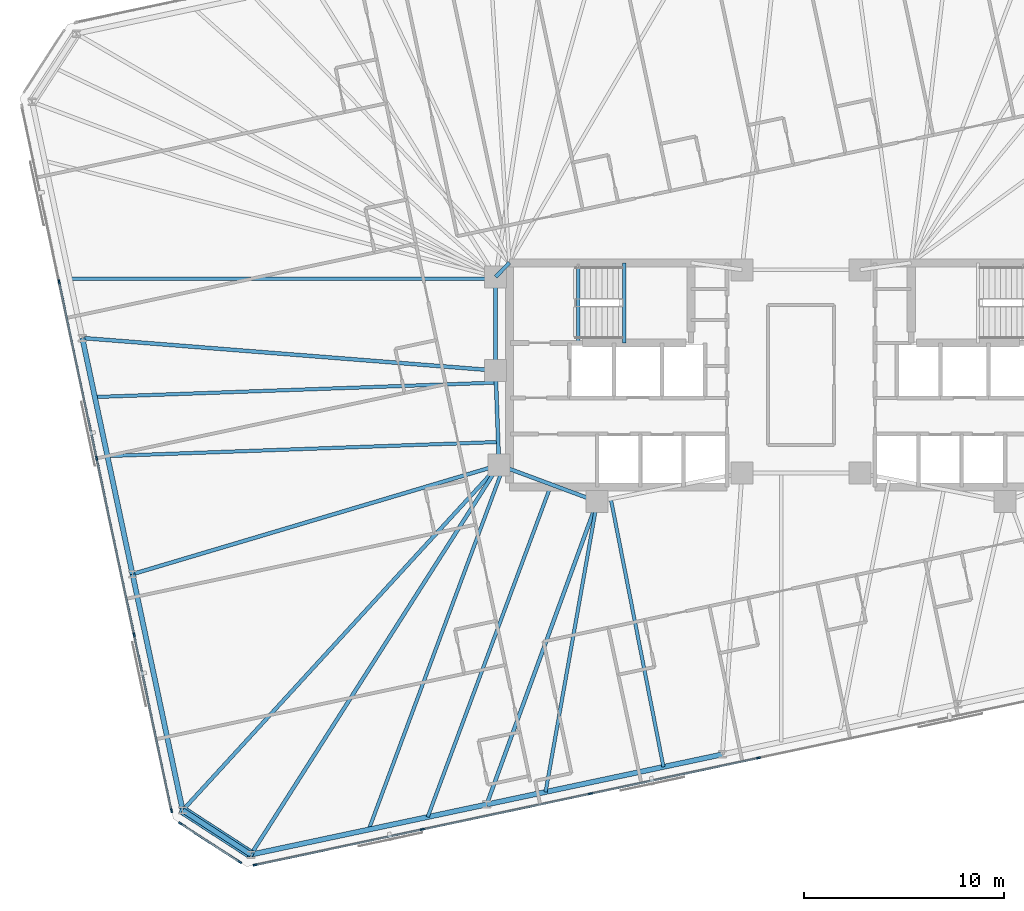
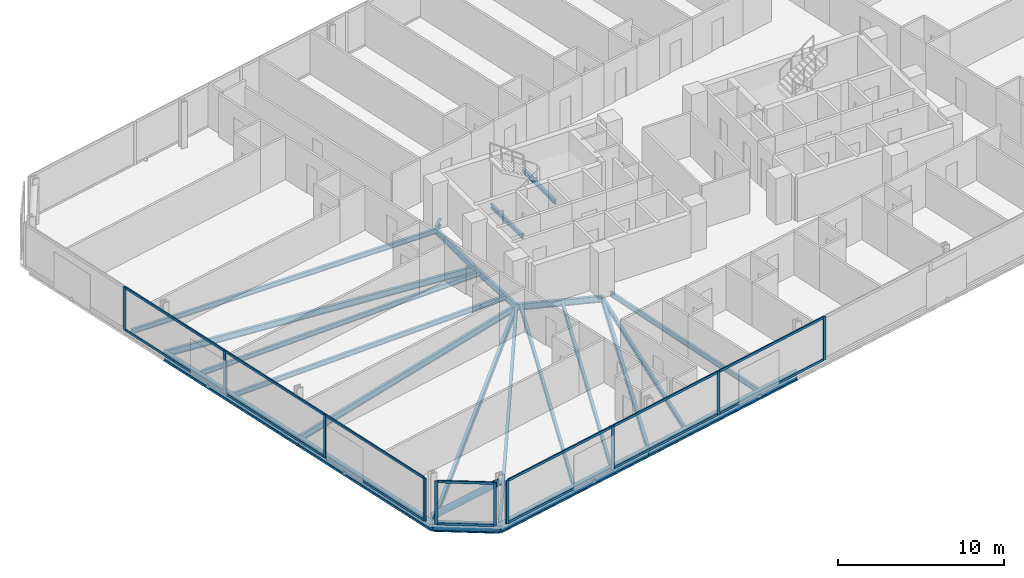
# One storey, part 6 of 21: 25 members, 23 beams, 3 elements without a shape of their own.
"""IFC4 building model written with IfcOpenShell, lengths in metres."""

import ifcopenshell
import ifcopenshell.guid

model = None  # the IFC model being written
_history = None  # IfcOwnerHistory: only IFC2X3 demands one
_inside = {}  # id of a spatial element -> (the spatial element, [elements in it])
_under = {}  # id of a project, library or spatial element -> (it, [spatial elements below it])
_declared = {}  # id of a project -> (the project, [libraries it declares])
_typed = {}  # id of a type object -> (the type object, [elements of that type])
_made_of = {}  # id of a material, layer set ... -> (it, [elements and type objects made of it])


def new_model(schema):
    """Start an empty IFC model of exactly this schema.

    Asked for "IFC4X3", IfcOpenShell would pick the latest addendum, in which some entities
    have other attributes; the version numbers below select the first issue.
    IFC2X3 requires an IfcOwnerHistory on every rooted entity: one is made here for all.
    """
    global model, _history
    if schema == "IFC4X3":
        model = ifcopenshell.file(schema_version=(4, 3, 0, 0))
    else:
        model = ifcopenshell.file(schema=schema)
    _inside.clear()
    _under.clear()
    _declared.clear()
    _typed.clear()
    _made_of.clear()
    _history = None
    if model.schema == "IFC2X3":
        org = make("IfcOrganization", Name="unknown")
        user = make(
            "IfcPersonAndOrganization",
            ThePerson=make("IfcPerson", FamilyName="unknown"),
            TheOrganization=org,
        )
        app = make(
            "IfcApplication",
            ApplicationDeveloper=org,
            Version="unknown",
            ApplicationFullName="unknown",
            ApplicationIdentifier="unknown",
        )
        _history = make(
            "IfcOwnerHistory",
            OwningUser=user,
            OwningApplication=app,
            ChangeAction="ADDED",
            CreationDate=0,
        )
    return model


def make(cls, **values):
    """One entity of the class cls with the attributes given. An attribute that is None is left unset."""
    return model.create_entity(
        cls, **{name: value for name, value in values.items() if value is not None}
    )


def rooted(cls, **values):
    """An entity with a GlobalId (a new one), such as an element, a storey or a relation."""
    return make(cls, GlobalId=ifcopenshell.guid.new(), OwnerHistory=_history, **values)


def si_unit(unit_type, name, prefix=None):
    """IfcSIUnit, for example si_unit("LENGTHUNIT", "METRE", prefix="MILLI")."""
    return make("IfcSIUnit", UnitType=unit_type, Prefix=prefix, Name=name)


def assignment(units):
    """IfcUnitAssignment: the units of a project."""
    return None if units is None else make("IfcUnitAssignment", Units=units)


def point(xyz):
    """IfcCartesianPoint."""
    return None if xyz is None else make("IfcCartesianPoint", Coordinates=xyz)


def direction(xyz):
    """IfcDirection."""
    return None if xyz is None else make("IfcDirection", DirectionRatios=xyz)


def frame(location, z_axis=None, x_axis=None):
    """IfcAxis2Placement3D, a coordinate frame: its origin and axes. An axis left out is left unset."""
    return make(
        "IfcAxis2Placement3D",
        Location=point(location),
        Axis=direction(z_axis),
        RefDirection=direction(x_axis),
    )


def frame_2d(location, x_axis=None):
    """IfcAxis2Placement2D, a coordinate frame in the plane: its origin and x axis."""
    return make(
        "IfcAxis2Placement2D", Location=point(location), RefDirection=direction(x_axis)
    )


def origin():
    """The frame at (0, 0, 0) with its axes left unset."""
    return frame((0.0, 0.0, 0.0))


def origin_2d():
    """The frame at (0, 0) in the plane with its x axis left unset."""
    return frame_2d((0.0, 0.0))


def place(relative_to, where):
    """IfcLocalPlacement: puts the frame where relative to a parent placement (None: the world)."""
    return make(
        "IfcLocalPlacement", PlacementRelTo=relative_to, RelativePlacement=where
    )


def context(
    kind, dimensions, precision=None, world=None, true_north=None, identifier=None
):
    """IfcGeometricRepresentationContext, for example the 3D "Model" context."""
    return make(
        "IfcGeometricRepresentationContext",
        ContextIdentifier=identifier,
        ContextType=kind,
        CoordinateSpaceDimension=dimensions,
        Precision=precision,
        WorldCoordinateSystem=world,
        TrueNorth=true_north,
    )


def subcontext(parent, identifier, kind, view, scale=None):
    """IfcGeometricRepresentationSubContext, for example "Body" below "Model"."""
    return make(
        "IfcGeometricRepresentationSubContext",
        ContextIdentifier=identifier,
        ContextType=kind,
        ParentContext=parent,
        TargetScale=scale,
        TargetView=view,
    )


def project(units=None, contexts=None):
    """IfcProject with its units and contexts."""
    return rooted(
        "IfcProject",
        Name="project",
        RepresentationContexts=contexts,
        UnitsInContext=assignment(units),
    )


def spatial(cls, under=None, at=None, **own):
    """A site, building, storey or space (cls), placed at a placement, below another one or the project."""
    s = rooted(cls, ObjectPlacement=at, **own)
    if under is not None:
        _under.setdefault(under.id(), (under, []))[1].append(s)
    return s


def profile(cls, at=None, kind="AREA", **sizes):
    """A parametric profile (cls). Its sizes go by their IFC names, for example OverallWidth=200.0."""
    return make(cls, ProfileType=kind, Position=at, **sizes)


def rectangle(**sizes):
    """IfcRectangleProfileDef."""
    return profile("IfcRectangleProfileDef", **sizes)


def hollow_circle(**sizes):
    """IfcCircleHollowProfileDef."""
    return profile("IfcCircleHollowProfileDef", **sizes)


def i_section(**sizes):
    """IfcIShapeProfileDef."""
    return profile("IfcIShapeProfileDef", **sizes)


def extrude(swept, where, along, depth):
    """IfcExtrudedAreaSolid: the profile swept, set in the frame where, extruded along a direction by depth."""
    return make(
        "IfcExtrudedAreaSolid",
        SweptArea=swept,
        Position=where,
        ExtrudedDirection=direction(along),
        Depth=depth,
    )


def shape(context_of_items, identifier, shape_type, items):
    """IfcShapeRepresentation: the items that make up one representation, for example the "Body"."""
    return make(
        "IfcShapeRepresentation",
        ContextOfItems=context_of_items,
        RepresentationIdentifier=identifier,
        RepresentationType=shape_type,
        Items=items,
    )


def material(Name=None, Category=None):
    """IfcMaterial."""
    return make("IfcMaterial", Name=Name, Category=Category)


def material_profile(
    of_material, cross_section, Name=None, Category=None, Priority=None
):
    """IfcMaterialProfile: a cross section and its material."""
    return make(
        "IfcMaterialProfile",
        Name=Name,
        Material=of_material,
        Profile=cross_section,
        Priority=Priority,
        Category=Category,
    )


def profile_set(profiles, Name=None, composite=None):
    """IfcMaterialProfileSet."""
    return make(
        "IfcMaterialProfileSet",
        Name=Name,
        MaterialProfiles=profiles,
        CompositeProfile=composite,
    )


def made_of(thing, what):
    """Note that an element or type object is made of a material, layer set ...; save() writes the relation."""
    if what is not None:
        _made_of.setdefault(what.id(), (what, []))[1].append(thing)
    return thing


def type_object(cls, material=None, **own):
    """A type object (cls), such as IfcWallType, which elements share."""
    return made_of(rooted(cls, **own), material)


def element(
    cls,
    number,
    at=None,
    inside=None,
    cuts=None,
    type_object=None,
    material=None,
    context=None,
    identifier="Body",
    shape_type=None,
    held_by="IfcProductDefinitionShape",
    body=None,
    shapes=None,
    **own,
):
    """One element of the class cls, such as IfcWall. Its Tag is "e" and its number.

    at: its placement. inside: the storey or other place that contains it. cuts: it is an
    opening in that element (IfcRelVoidsElement). A single representation is given by context,
    identifier, shape_type and body (its items); several are given by shapes. held_by: the class
    of the entity that holds the representations. save() writes the other relations.
    """
    e = rooted(cls, Tag="e%d" % number, ObjectPlacement=at, **own)
    if body is not None:
        shapes = [shape(context, identifier, shape_type, body)]
    if shapes is not None:
        e.Representation = make(held_by, Representations=shapes)
    if inside is not None:
        _inside.setdefault(inside.id(), (inside, []))[1].append(e)
    if cuts is not None:
        rooted(
            "IfcRelVoidsElement", RelatingBuildingElement=cuts, RelatedOpeningElement=e
        )
    if type_object is not None:
        _typed.setdefault(type_object.id(), (type_object, []))[1].append(e)
    return made_of(e, material)


def aggregate(whole, parts):
    """IfcRelAggregates: a whole, such as a stair, and the parts it consists of."""
    return rooted("IfcRelAggregates", RelatingObject=whole, RelatedObjects=parts)


def save(model, path):
    """Write the relations noted so far, then the file.

    IfcRelAggregates (storeys below a building ...), IfcRelContainedInSpatialStructure (elements
    in a storey), IfcRelDefinesByType, IfcRelAssociatesMaterial and IfcRelDeclares: one each for
    every whole, place, type object, material and project.
    """
    for whole, parts in _under.values():
        aggregate(whole, parts)
    for where, things in _inside.values():
        rooted(
            "IfcRelContainedInSpatialStructure",
            RelatedElements=things,
            RelatingStructure=where,
        )
    for kind, things in _typed.values():
        rooted("IfcRelDefinesByType", RelatedObjects=things, RelatingType=kind)
    for what, things in _made_of.values():
        rooted("IfcRelAssociatesMaterial", RelatedObjects=things, RelatingMaterial=what)
    for by, libraries in _declared.values():
        rooted("IfcRelDeclares", RelatingContext=by, RelatedDefinitions=libraries)
    model.write(path)


model = new_model("IFC4")

# Units and contexts
model_context = context("Model", 3, precision=1e-05, world=origin(), true_north=direction((0.0, 1.0)))
body_context = subcontext(model_context, "Body", "Model", "MODEL_VIEW")
ifc_project = project(units=[si_unit("LENGTHUNIT", "METRE"), si_unit("AREAUNIT", "SQUARE_METRE"), si_unit("VOLUMEUNIT", "CUBIC_METRE"), si_unit("PLANEANGLEUNIT", "RADIAN"), si_unit("MASSUNIT", "GRAM", prefix="KILO")], contexts=[model_context])

# Site, building, storey
site_placement = place(None, origin())
site = spatial("IfcSite", under=ifc_project, at=site_placement, CompositionType="ELEMENT")
building_placement = place(site_placement, origin())
building = spatial("IfcBuilding", under=site, at=building_placement, Name="Menara Jurai Vektor", CompositionType="ELEMENT")
storey_placement = place(building_placement, frame((0.0, 0.0, 165.0)))
storey = spatial("IfcBuildingStorey", under=building, at=storey_placement, Name="L42", CompositionType="ELEMENT", Elevation=165.0)

# Curtain wall, members
ifc_material_1 = material(Name="Anodised Pale Aluminium & Low-E Double Glazing", Category="aluminium")
curtain_wall_type = type_object("IfcCurtainWallType", Name="CW-BLK3", PredefinedType="NOTDEFINED", material=ifc_material_1)
curtain_wall_1_placement = place(storey_placement, origin())
curtain_wall_1 = element("IfcCurtainWall", 1, at=curtain_wall_1_placement, inside=storey, type_object=curtain_wall_type, Name="Unitised Curtain Wall L42 F01", PredefinedType="NOTDEFINED")
ifc_material_2 = material(Name="Anodised Pale Aluminium Mullion", Category="aluminium")
ifc_material_profile_1 = material_profile(ifc_material_2, rectangle(XDim=0.0849609375, YDim=0.205078125, at=origin_2d()), Name="ALU MUL 85x205")
ifc_profile_set_1 = profile_set([ifc_material_profile_1], Name="Anodised Pale Aluminium Mullion")
member_type_1 = type_object("IfcMemberType", Name="CW-BLK3-MUL", PredefinedType="MULLION", material=ifc_profile_set_1)
member_1_placement = place(storey_placement, frame((-27.25244140625, -24.462890625, 0.0), z_axis=(0.0, 0.0, 1.0), x_axis=(-0.207911344156, 0.978147674419, 0.0)))
member_1 = element("IfcMember", 2, at=member_1_placement, type_object=member_type_1, Name="CW-03 mullion 1", PredefinedType="MULLION", context=body_context, shape_type="SweptSolid", body=[
    extrude(rectangle(XDim=0.0849609375, YDim=0.205078125, at=origin_2d()), origin(), (0.0, 0.0, 1.0), 3.175048828125),
])
member_2_placement = place(storey_placement, frame((-18.904296875, -22.6884765625, 0.0), z_axis=(0.0, 0.0, 1.0), x_axis=(-0.207911344156, 0.978147674419, 0.0)))
member_2 = element("IfcMember", 3, at=member_2_placement, type_object=member_type_1, Name="CW-03 mullion 2", PredefinedType="MULLION", context=body_context, shape_type="SweptSolid", body=[
    extrude(rectangle(XDim=0.0849609375, YDim=0.205078125, at=origin_2d()), origin(), (0.0, 0.0, 1.0), 3.175048828125),
])
member_3_placement = place(storey_placement, frame((-10.514404296875, -20.905029296875, 0.0), z_axis=(0.0, 0.0, 1.0), x_axis=(-0.207911344156, 0.978147674419, 0.0)))
member_3 = element("IfcMember", 4, at=member_3_placement, type_object=member_type_1, Name="CW-03 mullion 3", PredefinedType="MULLION", context=body_context, shape_type="SweptSolid", body=[
    extrude(rectangle(XDim=0.0849609375, YDim=0.205078125, at=origin_2d()), origin(), (0.0, 0.0, 1.0), 3.175048828125),
])
member_4_placement = place(storey_placement, frame((-2.124755859375, -19.121826171875, 0.0), z_axis=(0.0, 0.0, 1.0), x_axis=(-0.207911344156, 0.978147674419, 0.0)))
member_4 = element("IfcMember", 5, at=member_4_placement, type_object=member_type_1, Name="CW-03 mullion 4", PredefinedType="MULLION", context=body_context, shape_type="SweptSolid", body=[
    extrude(rectangle(XDim=0.0849609375, YDim=0.205078125, at=origin_2d()), origin(), (0.0, 0.0, 1.0), 3.175048828125),
])

curtain_wall_2_placement = place(storey_placement, origin())
curtain_wall_2 = element("IfcCurtainWall", 6, at=curtain_wall_2_placement, inside=storey, type_object=curtain_wall_type, Name="Unitised Curtain Wall L42 F07", PredefinedType="NOTDEFINED")
member_5_placement = place(storey_placement, frame((-37.041259765625, 4.648193359375, 0.0), z_axis=(0.0, 0.0, 1.0), x_axis=(0.978147883949, 0.20791035839, 0.0)))
member_5 = element("IfcMember", 7, at=member_5_placement, type_object=member_type_1, Name="CW-03 mullion 2", PredefinedType="MULLION", context=body_context, shape_type="SweptSolid", body=[
    extrude(rectangle(XDim=0.0849609375, YDim=0.205078125, at=origin_2d()), origin(), (0.0, 0.0, 1.0), 3.175048828125),
])
member_6_placement = place(storey_placement, frame((-35.16796875, -4.1650390625, 0.0), z_axis=(0.0, 0.0, 1.0), x_axis=(0.978147883949, 0.20791035839, 0.0)))
member_6 = element("IfcMember", 8, at=member_6_placement, type_object=member_type_1, Name="CW-03 mullion 3", PredefinedType="MULLION", context=body_context, shape_type="SweptSolid", body=[
    extrude(rectangle(XDim=0.0849609375, YDim=0.205078125, at=origin_2d()), origin(), (0.0, 0.0, 1.0), 3.175048828125),
])
member_7_placement = place(storey_placement, frame((-33.294677734375, -12.978271484375, 0.0), z_axis=(0.0, 0.0, 1.0), x_axis=(0.978147883949, 0.20791035839, 0.0)))
member_7 = element("IfcMember", 9, at=member_7_placement, type_object=member_type_1, Name="CW-03 mullion 4", PredefinedType="MULLION", context=body_context, shape_type="SweptSolid", body=[
    extrude(rectangle(XDim=0.0849609375, YDim=0.205078125, at=origin_2d()), origin(), (0.0, 0.0, 1.0), 3.175048828125),
])
member_8_placement = place(storey_placement, frame((-31.43017578125, -21.749755859375, 0.0), z_axis=(0.0, 0.0, 1.0), x_axis=(0.978147883949, 0.20791035839, 0.0)))
member_8 = element("IfcMember", 10, at=member_8_placement, type_object=member_type_1, Name="CW-03 mullion 5", PredefinedType="MULLION", context=body_context, shape_type="SweptSolid", body=[
    extrude(rectangle(XDim=0.0849609375, YDim=0.205078125, at=origin_2d()), origin(), (0.0, 0.0, 1.0), 3.175048828125),
])

curtain_wall_3_placement = place(storey_placement, origin())
curtain_wall_3 = element("IfcCurtainWall", 11, at=curtain_wall_3_placement, inside=storey, type_object=curtain_wall_type, Name="Unitised Curtain Wall L42 F08", PredefinedType="NOTDEFINED")
member_9_placement = place(storey_placement, frame((-30.988037109375, -22.39306640625, 0.0), z_axis=(0.0, 0.0, 1.0), x_axis=(0.544617794346, 0.838684361415, 0.0)))
member_9 = element("IfcMember", 12, at=member_9_placement, type_object=member_type_1, Name="CW-03 mullion 1", PredefinedType="MULLION", context=body_context, shape_type="SweptSolid", body=[
    extrude(rectangle(XDim=0.0849609375, YDim=0.205078125, at=origin_2d()), origin(), (0.0, 0.0, 1.0), 3.175048828125),
])
member_10_placement = place(storey_placement, frame((-28.02001953125, -24.320556640625, 0.0), z_axis=(0.0, 0.0, 1.0), x_axis=(0.544617794346, 0.838684361415, 0.0)))
member_10 = element("IfcMember", 13, at=member_10_placement, type_object=member_type_1, Name="CW-03 mullion 2", PredefinedType="MULLION", context=body_context, shape_type="SweptSolid", body=[
    extrude(rectangle(XDim=0.0849609375, YDim=0.205078125, at=origin_2d()), origin(), (0.0, 0.0, 1.0), 3.175048828125),
])

# Member
ifc_material_3 = material(Name="Anodised Pale Aluminium Transom", Category="aluminium")
ifc_material_profile_2 = material_profile(ifc_material_3, rectangle(XDim=0.0849609375, YDim=0.175048828125, at=origin_2d()), Name="ALU TRN 85x175")
ifc_profile_set_2 = profile_set([ifc_material_profile_2], Name="Anodised Pale Aluminium Transom")
member_type_2 = type_object("IfcMemberType", Name="CW-BLK3-TRN", PredefinedType="USERDEFINED", material=ifc_profile_set_2)
member_11_placement = place(storey_placement, frame((-27.210693359375, -24.4541015625, 0.04248046875), z_axis=(0.978145704369, 0.207920612313, 0.0), x_axis=(-0.207920612313, 0.978145704369, 0.0)))
member_11 = element("IfcMember", 14, at=member_11_placement, type_object=member_type_2, Name="CW-03 transom 1.1", ObjectType="TRANSOM", PredefinedType="USERDEFINED", context=body_context, shape_type="SweptSolid", body=[
    extrude(rectangle(XDim=0.0849609375, YDim=0.175048828125, at=origin_2d()), origin(), (0.0, 0.0, 1.0), 8.449462890625),
])

member_12_placement = place(storey_placement, frame((-27.210693359375, -24.4541015625, 3.132568359375), z_axis=(0.978145704369, 0.207920612313, 0.0), x_axis=(-0.207920612313, 0.978145704369, 0.0)))
member_12 = element("IfcMember", 15, at=member_12_placement, type_object=member_type_2, Name="CW-03 transom 1.2", ObjectType="TRANSOM", PredefinedType="USERDEFINED", context=body_context, shape_type="SweptSolid", body=[
    extrude(rectangle(XDim=0.0849609375, YDim=0.175048828125, at=origin_2d()), origin(), (0.0, 0.0, 1.0), 8.449462890625),
])

member_13_placement = place(storey_placement, frame((-18.862548828125, -22.6796875, 0.04248046875), z_axis=(0.978146500933, 0.207916864907, 0.0), x_axis=(-0.207916864907, 0.978146500933, 0.0)))
member_13 = element("IfcMember", 16, at=member_13_placement, type_object=member_type_2, Name="CW-03 transom 2.1", ObjectType="TRANSOM", PredefinedType="USERDEFINED", context=body_context, shape_type="SweptSolid", body=[
    extrude(rectangle(XDim=0.0849609375, YDim=0.175048828125, at=origin_2d()), origin(), (0.0, 0.0, 1.0), 8.491943359375),
])

member_14_placement = place(storey_placement, frame((-18.862548828125, -22.6796875, 3.132568359375), z_axis=(0.978146500933, 0.207916864907, 0.0), x_axis=(-0.207916864907, 0.978146500933, 0.0)))
member_14 = element("IfcMember", 17, at=member_14_placement, type_object=member_type_2, Name="CW-03 transom 2.2", ObjectType="TRANSOM", PredefinedType="USERDEFINED", context=body_context, shape_type="SweptSolid", body=[
    extrude(rectangle(XDim=0.0849609375, YDim=0.175048828125, at=origin_2d()), origin(), (0.0, 0.0, 1.0), 8.491943359375),
])

member_15_placement = place(storey_placement, frame((-10.472900390625, -20.896240234375, 0.04248046875), z_axis=(0.978147743708, 0.207911018178, 0.0), x_axis=(-0.207911018178, 0.978147743708, 0.0)))
member_15 = element("IfcMember", 18, at=member_15_placement, type_object=member_type_2, Name="CW-03 transom 3.1", ObjectType="TRANSOM", PredefinedType="USERDEFINED", context=body_context, shape_type="SweptSolid", body=[
    extrude(rectangle(XDim=0.0849609375, YDim=0.175048828125, at=origin_2d()), origin(), (0.0, 0.0, 1.0), 8.4921875),
])

member_16_placement = place(storey_placement, frame((-10.472900390625, -20.896240234375, 3.132568359375), z_axis=(0.978147743708, 0.207911018178, 0.0), x_axis=(-0.207911018178, 0.978147743708, 0.0)))
member_16 = element("IfcMember", 19, at=member_16_placement, type_object=member_type_2, Name="CW-03 transom 3.2", ObjectType="TRANSOM", PredefinedType="USERDEFINED", context=body_context, shape_type="SweptSolid", body=[
    extrude(rectangle(XDim=0.0849609375, YDim=0.175048828125, at=origin_2d()), origin(), (0.0, 0.0, 1.0), 8.4921875),
])

aggregate(curtain_wall_1, [member_1, member_2, member_3, member_4, member_11, member_12, member_13, member_14, member_15, member_16])

member_17_placement = place(storey_placement, frame((-37.032470703125, 4.6064453125, 0.04248046875), z_axis=(0.207922224243, -0.978145361726, 0.0), x_axis=(0.978145361726, 0.207922224243, 0.0)))
member_17 = element("IfcMember", 20, at=member_17_placement, type_object=member_type_2, Name="CW-03 transom 2.1", ObjectType="TRANSOM", PredefinedType="USERDEFINED", context=body_context, shape_type="SweptSolid", body=[
    extrude(rectangle(XDim=0.0849609375, YDim=0.175048828125, at=origin_2d()), origin(), (0.0, 0.0, 1.0), 8.925048828125),
])

member_18_placement = place(storey_placement, frame((-37.032470703125, 4.6064453125, 3.132568359375), z_axis=(0.207922224243, -0.978145361726, 0.0), x_axis=(0.978145361726, 0.207922224243, 0.0)))
member_18 = element("IfcMember", 21, at=member_18_placement, type_object=member_type_2, Name="CW-03 transom 2.2", ObjectType="TRANSOM", PredefinedType="USERDEFINED", context=body_context, shape_type="SweptSolid", body=[
    extrude(rectangle(XDim=0.0849609375, YDim=0.175048828125, at=origin_2d()), origin(), (0.0, 0.0, 1.0), 8.925048828125),
])

member_19_placement = place(storey_placement, frame((-35.1591796875, -4.20654296875, 0.04248046875), z_axis=(0.207922224243, -0.978145361726, 0.0), x_axis=(0.978145361726, 0.207922224243, 0.0)))
member_19 = element("IfcMember", 22, at=member_19_placement, type_object=member_type_2, Name="CW-03 transom 3.1", ObjectType="TRANSOM", PredefinedType="USERDEFINED", context=body_context, shape_type="SweptSolid", body=[
    extrude(rectangle(XDim=0.0849609375, YDim=0.175048828125, at=origin_2d()), origin(), (0.0, 0.0, 1.0), 8.925048828125),
])

member_20_placement = place(storey_placement, frame((-35.1591796875, -4.20654296875, 3.132568359375), z_axis=(0.207922224243, -0.978145361726, 0.0), x_axis=(0.978145361726, 0.207922224243, 0.0)))
member_20 = element("IfcMember", 23, at=member_20_placement, type_object=member_type_2, Name="CW-03 transom 3.2", ObjectType="TRANSOM", PredefinedType="USERDEFINED", context=body_context, shape_type="SweptSolid", body=[
    extrude(rectangle(XDim=0.0849609375, YDim=0.175048828125, at=origin_2d()), origin(), (0.0, 0.0, 1.0), 8.925048828125),
])

member_21_placement = place(storey_placement, frame((-33.285888671875, -13.019775390625, 0.04248046875), z_axis=(0.207925814542, -0.978144598537, 0.0), x_axis=(0.978144598537, 0.207925814542, 0.0)))
member_21 = element("IfcMember", 24, at=member_21_placement, type_object=member_type_2, Name="CW-03 transom 4.1", ObjectType="TRANSOM", PredefinedType="USERDEFINED", context=body_context, shape_type="SweptSolid", body=[
    extrude(rectangle(XDim=0.0849609375, YDim=0.175048828125, at=origin_2d()), origin(), (0.0, 0.0, 1.0), 8.882568359375),
])

member_22_placement = place(storey_placement, frame((-33.285888671875, -13.019775390625, 3.132568359375), z_axis=(0.207925814542, -0.978144598537, 0.0), x_axis=(0.978144598537, 0.207925814542, 0.0)))
member_22 = element("IfcMember", 25, at=member_22_placement, type_object=member_type_2, Name="CW-03 transom 4.2", ObjectType="TRANSOM", PredefinedType="USERDEFINED", context=body_context, shape_type="SweptSolid", body=[
    extrude(rectangle(XDim=0.0849609375, YDim=0.175048828125, at=origin_2d()), origin(), (0.0, 0.0, 1.0), 8.882568359375),
])

aggregate(curtain_wall_2, [member_5, member_6, member_7, member_8, member_17, member_18, member_19, member_20, member_21, member_22])

member_23_placement = place(storey_placement, frame((-30.952392578125, -22.416259765625, 0.04248046875), z_axis=(0.83867770631, -0.54462804274, 0.0), x_axis=(0.54462804274, 0.83867770631, 0.0)))
member_23 = element("IfcMember", 26, at=member_23_placement, type_object=member_type_2, Name="CW-03 transom 1.1", ObjectType="TRANSOM", PredefinedType="USERDEFINED", context=body_context, shape_type="SweptSolid", body=[
    extrude(rectangle(XDim=0.0849609375, YDim=0.175048828125, at=origin_2d()), origin(), (0.0, 0.0, 1.0), 3.453857421875),
])

member_24_placement = place(storey_placement, frame((-30.952392578125, -22.416259765625, 3.132568359375), z_axis=(0.83867770631, -0.54462804274, 0.0), x_axis=(0.54462804274, 0.83867770631, 0.0)))
member_24 = element("IfcMember", 27, at=member_24_placement, type_object=member_type_2, Name="CW-03 transom 1.2", ObjectType="TRANSOM", PredefinedType="USERDEFINED", context=body_context, shape_type="SweptSolid", body=[
    extrude(rectangle(XDim=0.0849609375, YDim=0.175048828125, at=origin_2d()), origin(), (0.0, 0.0, 1.0), 3.453857421875),
])

aggregate(curtain_wall_3, [member_9, member_10, member_23, member_24])

# Beams
ifc_material_4 = material(Name="Steel S355", Category="steel")
ifc_material_profile_3 = material_profile(ifc_material_4, i_section(OverallWidth=0.19091796875, OverallDepth=0.4599609375, WebThickness=0.010009765625, FlangeThickness=0.01611328125, FilletRadius=0.010009765625, at=origin_2d()), Name="UKB 457x191x82")
ifc_profile_set_3 = profile_set([ifc_material_profile_3], Name="Steel S355")
beam_type_1 = type_object("IfcBeamType", Name="STR-BM-457", PredefinedType="BEAM", material=ifc_profile_set_3)
beam_1_placement = place(storey_placement, frame((-15.25, 4.89990234375, -0.455078125), z_axis=(0.701871936926, 0.712303154672, 0.0), x_axis=(-0.712303154672, 0.701871936926, 0.0)))
element("IfcBeam", 28, at=beam_1_placement, inside=storey, type_object=beam_type_1, Name="Core Ring Header Girder L42-CHW-N1", PredefinedType="BEAM", context=body_context, shape_type="SweptSolid", body=[
    extrude(i_section(OverallWidth=0.19091796875, OverallDepth=0.4599609375, WebThickness=0.010009765625, FlangeThickness=0.01611328125, FilletRadius=0.010009765625, at=origin_2d()), origin(), (0.0, 0.0, 1.0), 0.98291015625),
])
beam_2_placement = place(storey_placement, frame((-15.25, 0.219970703125, -0.455078125), z_axis=(0.0, 1.0, 0.0), x_axis=(-1.0, 0.0, 0.0)))
element("IfcBeam", 29, at=beam_2_placement, inside=storey, type_object=beam_type_1, Name="Core Ring Header Girder L42-CHW-W1", PredefinedType="BEAM", context=body_context, shape_type="SweptSolid", body=[
    extrude(i_section(OverallWidth=0.19091796875, OverallDepth=0.4599609375, WebThickness=0.010009765625, FlangeThickness=0.01611328125, FilletRadius=0.010009765625, at=origin_2d()), origin(), (0.0, 0.0, 1.0), 4.679931640625),
])
beam_3_placement = place(storey_placement, frame((-15.080078125, -4.5, -0.455078125), z_axis=(-0.035977314146, 0.999352606874, 0.0), x_axis=(-0.999352606874, -0.035977314146, 0.0)))
element("IfcBeam", 30, at=beam_3_placement, inside=storey, type_object=beam_type_1, Name="Core Ring Header Girder L42-CHW-W2", PredefinedType="BEAM", context=body_context, shape_type="SweptSolid", body=[
    extrude(i_section(OverallWidth=0.19091796875, OverallDepth=0.4599609375, WebThickness=0.010009765625, FlangeThickness=0.01611328125, FilletRadius=0.010009765625, at=origin_2d()), origin(), (0.0, 0.0, 1.0), 4.72314453125),
])
beam_4_placement = place(storey_placement, frame((-15.080078125, -4.5, -0.455078125), z_axis=(0.937424400887, -0.348188874925, 0.0), x_axis=(0.348188874925, 0.937424400887, 0.0)))
element("IfcBeam", 31, at=beam_4_placement, inside=storey, type_object=beam_type_1, Name="Core Ring Header Girder L42-CHW-S1", PredefinedType="BEAM", context=body_context, shape_type="SweptSolid", body=[
    extrude(i_section(OverallWidth=0.19091796875, OverallDepth=0.4599609375, WebThickness=0.010009765625, FlangeThickness=0.01611328125, FilletRadius=0.010009765625, at=origin_2d()), origin(), (0.0, 0.0, 1.0), 5.227294921875),
])
beam_5_placement = place(storey_placement, frame((-27.46484375, -23.94580078125, -0.455078125), z_axis=(0.537189280991, 0.843461721946, 0.0), x_axis=(-0.843461721946, 0.537189280991, 0.0)))
element("IfcBeam", 32, at=beam_5_placement, inside=storey, type_object=beam_type_1, Name="Radial Floor Girder L42-S1", PredefinedType="BEAM", context=body_context, shape_type="SweptSolid", body=[
    extrude(i_section(OverallWidth=0.19091796875, OverallDepth=0.4599609375, WebThickness=0.010009765625, FlangeThickness=0.01611328125, FilletRadius=0.010009765625, at=origin_2d()), origin(), (0.0, 0.0, 1.0), 23.0546875),
])
beam_6_placement = place(storey_placement, frame((-15.696533203125, -21.4443359375, -0.455078125), z_axis=(0.342668294367, 0.939456459893, 0.0), x_axis=(-0.939456459893, 0.342668294367, 0.0)))
element("IfcBeam", 33, at=beam_6_placement, inside=storey, type_object=beam_type_1, Name="Radial Floor Girder L42-S2", PredefinedType="BEAM", context=body_context, shape_type="SweptSolid", body=[
    extrude(i_section(OverallWidth=0.19091796875, OverallDepth=0.4599609375, WebThickness=0.010009765625, FlangeThickness=0.01611328125, FilletRadius=0.010009765625, at=origin_2d()), origin(), (0.0, 0.0, 1.0), 16.098876953125),
])
beam_7_placement = place(storey_placement, frame((-35.8828125, 1.843505859375, -0.455078125), z_axis=(0.996918476483, -0.078444574364, 0.0), x_axis=(0.078444574364, 0.996918476483, 0.0)))
element("IfcBeam", 34, at=beam_7_placement, inside=storey, type_object=beam_type_1, Name="Radial Floor Girder L42-W2", PredefinedType="BEAM", context=body_context, shape_type="SweptSolid", body=[
    extrude(i_section(OverallWidth=0.19091796875, OverallDepth=0.4599609375, WebThickness=0.010009765625, FlangeThickness=0.01611328125, FilletRadius=0.010009765625, at=origin_2d()), origin(), (0.0, 0.0, 1.0), 20.696533203125),
])
beam_8_placement = place(storey_placement, frame((-33.377197265625, -9.94482421875, -0.455078125), z_axis=(0.958462775407, 0.285217650505, 0.0), x_axis=(-0.285217650505, 0.958462775407, 0.0)))
element("IfcBeam", 35, at=beam_8_placement, inside=storey, type_object=beam_type_1, Name="Radial Floor Girder L42-W3", PredefinedType="BEAM", context=body_context, shape_type="SweptSolid", body=[
    extrude(i_section(OverallWidth=0.19091796875, OverallDepth=0.4599609375, WebThickness=0.010009765625, FlangeThickness=0.01611328125, FilletRadius=0.010009765625, at=origin_2d()), origin(), (0.0, 0.0, 1.0), 19.090087890625),
])
beam_9_placement = place(storey_placement, frame((-30.871337890625, -21.7333984375, -0.455078125), z_axis=(0.675584615662, 0.737282460852, 0.0), x_axis=(-0.737282460852, 0.675584615662, 0.0)))
element("IfcBeam", 36, at=beam_9_placement, inside=storey, type_object=beam_type_1, Name="Radial Floor Girder L42-W4", PredefinedType="BEAM", context=body_context, shape_type="SweptSolid", body=[
    extrude(i_section(OverallWidth=0.19091796875, OverallDepth=0.4599609375, WebThickness=0.010009765625, FlangeThickness=0.01611328125, FilletRadius=0.010009765625, at=origin_2d()), origin(), (0.0, 0.0, 1.0), 23.374267578125),
])

# Member
ifc_material_5 = material(Name="Steel S460", Category="steel")
ifc_material_profile_4 = material_profile(ifc_material_5, hollow_circle(Radius=0.228515625, WallThickness=0.01611328125, at=origin_2d()), Name="CHS 457x16")
ifc_profile_set_4 = profile_set([ifc_material_profile_4], Name="Steel S460")
member_type_3 = type_object("IfcMemberType", Name="STR-BR-457", PredefinedType="BRACE", material=ifc_profile_set_4)
member_25_placement = place(storey_placement, frame((-30.871337890625, -21.7333984375, 0.14990234375), z_axis=(0.700402825662, -0.454887866849, 0.5500117366), x_axis=(0.544673525608, 0.838648168484, 0.0)))
element("IfcMember", 37, at=member_25_placement, inside=storey, type_object=member_type_3, Name="Exoskeleton Corner Brace L42-4", PredefinedType="BRACE", context=body_context, shape_type="SweptSolid", body=[
    extrude(hollow_circle(Radius=0.228515625, WallThickness=0.01611328125, at=origin_2d()), origin(), (0.0, 0.0, 1.0), 4.863525390625),
])

# Beams
ifc_material_profile_5 = material_profile(ifc_material_4, i_section(OverallWidth=0.172119140625, OverallDepth=0.35498046875, WebThickness=0.007080078125, FlangeThickness=0.011962890625, FilletRadius=0.010009765625, at=origin_2d()), Name="UKB 356x171x51")
ifc_profile_set_5 = profile_set([ifc_material_profile_5], Name="Steel S355")
beam_type_2 = type_object("IfcBeamType", Name="STR-JS-356", PredefinedType="JOIST", material=ifc_profile_set_5)
beam_10_placement = place(storey_placement, frame((-21.580810546875, -22.695068359375, -0.402587890625), z_axis=(0.348190019635, 0.937423975705, 0.0), x_axis=(-0.937423975705, 0.348190019635, 0.0)))
element("IfcBeam", 38, at=beam_10_placement, inside=storey, type_object=beam_type_2, Name="Radial Secondary Floor Joist L42-JS01", PredefinedType="JOIST", context=body_context, shape_type="SweptSolid", body=[
    extrude(i_section(OverallWidth=0.172119140625, OverallDepth=0.35498046875, WebThickness=0.007080078125, FlangeThickness=0.011962890625, FilletRadius=0.010009765625, at=origin_2d()), origin(), (0.0, 0.0, 1.0), 19.320068359375),
])
beam_11_placement = place(storey_placement, frame((-18.638671875, -22.069580078125, -0.402587890625), z_axis=(0.348193798412, 0.937422572135, 0.0), x_axis=(-0.937422572135, 0.348193798412, 0.0)))
element("IfcBeam", 39, at=beam_11_placement, inside=storey, type_object=beam_type_2, Name="Radial Secondary Floor Joist L42-JS02", PredefinedType="JOIST", context=body_context, shape_type="SweptSolid", body=[
    extrude(i_section(OverallWidth=0.172119140625, OverallDepth=0.35498046875, WebThickness=0.007080078125, FlangeThickness=0.011962890625, FilletRadius=0.010009765625, at=origin_2d()), origin(), (0.0, 0.0, 1.0), 17.709228515625),
])
beam_12_placement = place(storey_placement, frame((-12.75439453125, -20.819091796875, -0.402587890625), z_axis=(0.174826548521, 0.984599247375, 0.0), x_axis=(-0.984599247375, 0.174826548521, 0.0)))
element("IfcBeam", 40, at=beam_12_placement, inside=storey, type_object=beam_type_2, Name="Radial Secondary Floor Joist L42-JS03", PredefinedType="JOIST", context=body_context, shape_type="SweptSolid", body=[
    extrude(i_section(OverallWidth=0.172119140625, OverallDepth=0.35498046875, WebThickness=0.007080078125, FlangeThickness=0.011962890625, FilletRadius=0.010009765625, at=origin_2d()), origin(), (0.0, 0.0, 1.0), 14.725830078125),
])
beam_13_placement = place(storey_placement, frame((-6.870361328125, -19.568359375, -0.402587890625), z_axis=(-0.19273083746, 0.981251662058, 0.0), x_axis=(-0.981251662058, -0.19273083746, 0.0)))
element("IfcBeam", 41, at=beam_13_placement, inside=storey, type_object=beam_type_2, Name="Radial Secondary Floor Joist L42-JS04", PredefinedType="JOIST", context=body_context, shape_type="SweptSolid", body=[
    extrude(i_section(OverallWidth=0.172119140625, OverallDepth=0.35498046875, WebThickness=0.007080078125, FlangeThickness=0.011962890625, FilletRadius=0.010009765625, at=origin_2d()), origin(), (0.0, 0.0, 1.0), 13.6376953125),
])
beam_14_placement = place(storey_placement, frame((-36.50927734375, 4.790771484375, -0.402587890625), z_axis=(1.0, 0.0, 0.0), x_axis=(0.0, 1.0, 0.0)))
element("IfcBeam", 42, at=beam_14_placement, inside=storey, type_object=beam_type_2, Name="Radial Secondary Floor Joist L42-JS30", PredefinedType="JOIST", context=body_context, shape_type="SweptSolid", body=[
    extrude(i_section(OverallWidth=0.172119140625, OverallDepth=0.35498046875, WebThickness=0.007080078125, FlangeThickness=0.011962890625, FilletRadius=0.010009765625, at=origin_2d()), origin(), (0.0, 0.0, 1.0), 21.25927734375),
])
beam_15_placement = place(storey_placement, frame((-35.25634765625, -1.103515625, -0.402587890625), z_axis=(0.999351866858, 0.035997863919, 0.0), x_axis=(-0.035997863919, 0.999351866858, 0.0)))
element("IfcBeam", 43, at=beam_15_placement, inside=storey, type_object=beam_type_2, Name="Radial Secondary Floor Joist L42-JS31", PredefinedType="JOIST", context=body_context, shape_type="SweptSolid", body=[
    extrude(i_section(OverallWidth=0.172119140625, OverallDepth=0.35498046875, WebThickness=0.007080078125, FlangeThickness=0.011962890625, FilletRadius=0.010009765625, at=origin_2d()), origin(), (0.0, 0.0, 1.0), 20.041015625),
])
beam_16_placement = place(storey_placement, frame((-34.6298828125, -4.05078125, -0.402587890625), z_axis=(0.999352006705, 0.035993981369, 0.0), x_axis=(-0.035993981369, 0.999352006705, 0.0)))
element("IfcBeam", 44, at=beam_16_placement, inside=storey, type_object=beam_type_2, Name="Radial Secondary Floor Joist L42-JS32", PredefinedType="JOIST", context=body_context, shape_type="SweptSolid", body=[
    extrude(i_section(OverallWidth=0.172119140625, OverallDepth=0.35498046875, WebThickness=0.007080078125, FlangeThickness=0.011962890625, FilletRadius=0.010009765625, at=origin_2d()), origin(), (0.0, 0.0, 1.0), 19.52099609375),
])
ifc_material_profile_6 = material_profile(ifc_material_4, i_section(OverallWidth=0.1650390625, OverallDepth=0.302978515625, WebThickness=0.006103515625, FlangeThickness=0.010009765625, FilletRadius=0.009033203125, at=origin_2d()), Name="UKB 305x165x40")
ifc_profile_set_6 = profile_set([ifc_material_profile_6], Name="Steel S355")
beam_type_3 = type_object("IfcBeamType", Name="STR-LN-305", PredefinedType="LINTEL", material=ifc_profile_set_6)
beam_17_placement = place(storey_placement, frame((-11.1201171875, 1.60009765625, -0.37646484375), z_axis=(0.0, 1.0, 0.0), x_axis=(-1.0, 0.0, 0.0)))
element("IfcBeam", 45, at=beam_17_placement, inside=storey, type_object=beam_type_3, Name="Stair Well Floor Trimmer ST1 L42", PredefinedType="LINTEL", context=body_context, shape_type="SweptSolid", body=[
    extrude(i_section(OverallWidth=0.1650390625, OverallDepth=0.302978515625, WebThickness=0.006103515625, FlangeThickness=0.010009765625, FilletRadius=0.009033203125, at=origin_2d()), origin(), (0.0, 0.0, 1.0), 3.81982421875),
])
beam_18_placement = place(storey_placement, frame((-8.830078125, 1.60009765625, 1.348388671875), z_axis=(0.0, 1.0, 0.0), x_axis=(-1.0, 0.0, 0.0)))
element("IfcBeam", 46, at=beam_18_placement, inside=storey, type_object=beam_type_3, Name="Stair Half-Landing Nosing Trimmer ST1-1 L42", PredefinedType="LINTEL", context=body_context, shape_type="SweptSolid", body=[
    extrude(i_section(OverallWidth=0.1650390625, OverallDepth=0.302978515625, WebThickness=0.006103515625, FlangeThickness=0.010009765625, FilletRadius=0.009033203125, at=origin_2d()), origin(), (0.0, 0.0, 1.0), 4.0),
])
ifc_material_profile_7 = material_profile(ifc_material_5, i_section(OverallWidth=0.256103515625, OverallDepth=0.693115234375, WebThickness=0.013916015625, FlangeThickness=0.02392578125, FilletRadius=0.014892578125, at=origin_2d()), Name="UKB 686x254x170")
ifc_profile_set_7 = profile_set([ifc_material_profile_7], Name="Steel S460")
beam_type_4 = type_object("IfcBeamType", Name="STR-SP-686", PredefinedType="SPANDREL", material=ifc_profile_set_7)
beam_19_placement = place(storey_placement, frame((-27.46484375, -23.94580078125, -0.571533203125), z_axis=(0.978147039247, 0.207914332389, 0.0), x_axis=(-0.207914332389, 0.978147039247, 0.0)))
element("IfcBeam", 47, at=beam_19_placement, inside=storey, type_object=beam_type_4, Name="Exoskeleton Spandrel Beam L42-01", PredefinedType="SPANDREL", context=body_context, shape_type="SweptSolid", body=[
    extrude(i_section(OverallWidth=0.256103515625, OverallDepth=0.693115234375, WebThickness=0.013916015625, FlangeThickness=0.02392578125, FilletRadius=0.014892578125, at=origin_2d()), origin(), (0.0, 0.0, 1.0), 12.03125),
])
beam_20_placement = place(storey_placement, frame((-15.696533203125, -21.4443359375, -0.571533203125), z_axis=(0.97814616202, 0.207918459318, 0.0), x_axis=(-0.207918459318, 0.97814616202, 0.0)))
element("IfcBeam", 48, at=beam_20_placement, inside=storey, type_object=beam_type_4, Name="Exoskeleton Spandrel Beam L42-02", PredefinedType="SPANDREL", context=body_context, shape_type="SweptSolid", body=[
    extrude(i_section(OverallWidth=0.256103515625, OverallDepth=0.693115234375, WebThickness=0.013916015625, FlangeThickness=0.02392578125, FilletRadius=0.014892578125, at=origin_2d()), origin(), (0.0, 0.0, 1.0), 12.031005859375),
])
beam_21_placement = place(storey_placement, frame((-35.8828125, 1.843505859375, -0.571533203125), z_axis=(0.207906000604, -0.978148810209, 0.0), x_axis=(0.978148810209, 0.207906000604, 0.0)))
element("IfcBeam", 49, at=beam_21_placement, inside=storey, type_object=beam_type_4, Name="Exoskeleton Spandrel Beam L42-18", PredefinedType="SPANDREL", context=body_context, shape_type="SweptSolid", body=[
    extrude(i_section(OverallWidth=0.256103515625, OverallDepth=0.693115234375, WebThickness=0.013916015625, FlangeThickness=0.02392578125, FilletRadius=0.014892578125, at=origin_2d()), origin(), (0.0, 0.0, 1.0), 12.0517578125),
])
beam_22_placement = place(storey_placement, frame((-33.377197265625, -9.94482421875, -0.571533203125), z_axis=(0.207921262698, -0.978145566119, 0.0), x_axis=(0.978145566119, 0.207921262698, 0.0)))
element("IfcBeam", 50, at=beam_22_placement, inside=storey, type_object=beam_type_4, Name="Exoskeleton Spandrel Beam L42-19", PredefinedType="SPANDREL", context=body_context, shape_type="SweptSolid", body=[
    extrude(i_section(OverallWidth=0.256103515625, OverallDepth=0.693115234375, WebThickness=0.013916015625, FlangeThickness=0.02392578125, FilletRadius=0.014892578125, at=origin_2d()), origin(), (0.0, 0.0, 1.0), 12.052001953125),
])
beam_23_placement = place(storey_placement, frame((-30.871337890625, -21.7333984375, -0.571533203125), z_axis=(0.838648168484, -0.544673525608, 0.0), x_axis=(0.544673525608, 0.838648168484, 0.0)))
element("IfcBeam", 51, at=beam_23_placement, inside=storey, type_object=beam_type_4, Name="Exoskeleton Spandrel Beam L42-20", PredefinedType="SPANDREL", context=body_context, shape_type="SweptSolid", body=[
    extrude(i_section(OverallWidth=0.256103515625, OverallDepth=0.693115234375, WebThickness=0.013916015625, FlangeThickness=0.02392578125, FilletRadius=0.014892578125, at=origin_2d()), origin(), (0.0, 0.0, 1.0), 4.061767578125),
])

save(model, "model.ifc")
